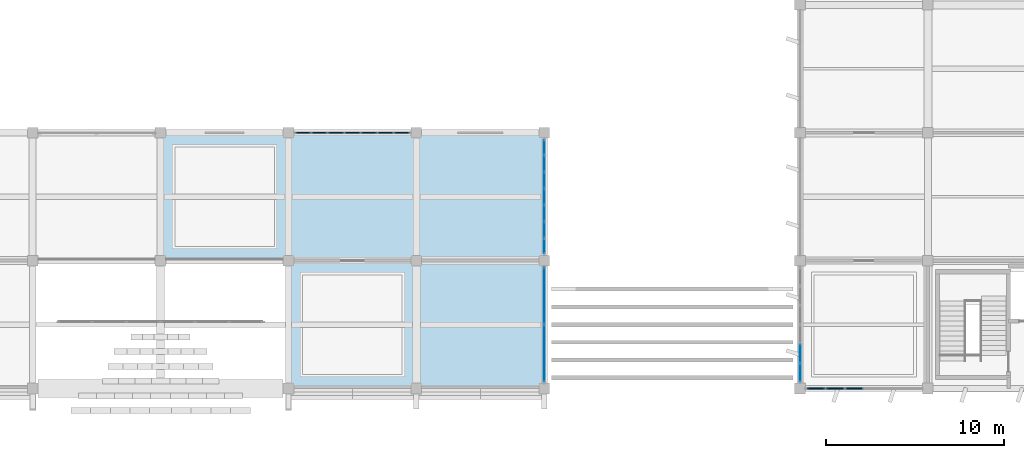
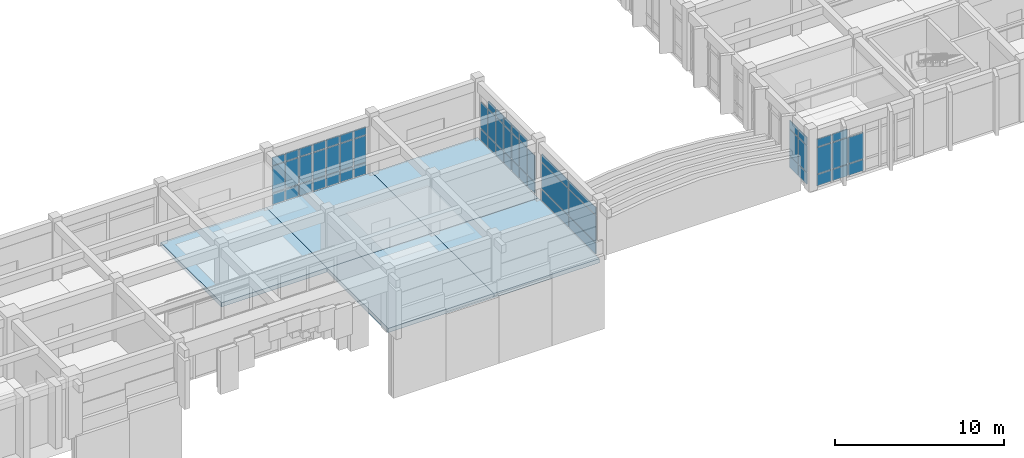
# One storey, part 41 of 81: 60 plates, 5 slabs, 5 elements without a shape of their own.
"""IFC4 building model written with IfcOpenShell, lengths in metres."""

from ifc_helpers import new_model, si_unit, direction, frame, origin, origin_2d, place, context, subcontext, project, spatial, polyline, rectangle, outline, extrude, material, layer, layer_set, type_object, element, aggregate, save


model = new_model("IFC4")

# Units and contexts
model_context = context("Model", 3, precision=1e-05, world=origin(), true_north=direction((0.0, 1.0)))
body_context = subcontext(model_context, "Body", "Model", "MODEL_VIEW")
ifc_project = project(units=[si_unit("LENGTHUNIT", "METRE"), si_unit("AREAUNIT", "SQUARE_METRE"), si_unit("VOLUMEUNIT", "CUBIC_METRE"), si_unit("PLANEANGLEUNIT", "RADIAN"), si_unit("MASSUNIT", "GRAM", prefix="KILO")], contexts=[model_context])

# Site, building, storey
site_placement = place(None, origin())
site = spatial("IfcSite", under=ifc_project, at=site_placement, CompositionType="ELEMENT")
building_placement = place(site_placement, origin())
building = spatial("IfcBuilding", under=site, at=building_placement, Name="Kavelor Marine Aquarium", CompositionType="ELEMENT")
storey_placement = place(building_placement, frame((0.0, 0.0, 4.679931640625)))
storey = spatial("IfcBuildingStorey", under=building, at=storey_placement, Name="L01", CompositionType="ELEMENT", Elevation=4.679931640625)

# Curtain wall, plates
ifc_material_1 = material(Name="Thermally Broken Aluminium and Low-E Glass", Category="aluminium")
ifc_layer_1 = layer(ifc_material_1, 0.33203125)
ifc_layer_set_1 = layer_set([ifc_layer_1], Name="CW-SYS24")
curtain_wall_type_1 = type_object("IfcCurtainWallType", Name="CW-SYS24", PredefinedType="USERDEFINED", material=ifc_layer_set_1)
curtain_wall_1_placement = place(storey_placement, origin())
curtain_wall_1 = element("IfcCurtainWall", 1, at=curtain_wall_1_placement, inside=storey, type_object=curtain_wall_type_1, Name="cw:y:L01:14_00", ObjectType="Curtain Wall", PredefinedType="USERDEFINED")
ifc_material_2 = material(Name="Solar-Control Double Low-E Glazing", Category="glass")
ifc_layer_2 = layer(ifc_material_2, 0.048095703125)
ifc_layer_set_2 = layer_set([ifc_layer_2], Name="CWP-12")
plate_type_1 = type_object("IfcPlateType", Name="CWP-12", PredefinedType="CURTAIN_PANEL", material=ifc_layer_set_2)
plate_1_placement = place(storey_placement, frame((104.0, 4.78759765625, 0.074951171875), z_axis=(0.0, 0.0, 1.0), x_axis=(0.0, 1.0, 0.0)))
plate_1 = element("IfcPlate", 2, at=plate_1_placement, type_object=plate_type_1, Name="CW24 panel 1.1", PredefinedType="CURTAIN_PANEL", context=body_context, shape_type="SweptSolid", body=[
    extrude(rectangle(XDim=3.1650390625, YDim=0.048095703125, at=origin_2d()), origin(), (0.0, 0.0, 1.0), 0.78759765625),
])
plate_2_placement = place(storey_placement, frame((104.0, 4.78759765625, 0.9375), z_axis=(0.0, 0.0, 1.0), x_axis=(0.0, 1.0, 0.0)))
plate_2 = element("IfcPlate", 3, at=plate_2_placement, type_object=plate_type_1, Name="CW24 panel 1.2", PredefinedType="CURTAIN_PANEL", context=body_context, shape_type="SweptSolid", body=[
    extrude(rectangle(XDim=3.1650390625, YDim=0.048095703125, at=origin_2d()), origin(), (0.0, 0.0, 1.0), 1.885009765625),
])
plate_3_placement = place(storey_placement, frame((104.0, 4.78759765625, 2.8974609375), z_axis=(0.0, 0.0, 1.0), x_axis=(0.0, 1.0, 0.0)))
plate_3 = element("IfcPlate", 4, at=plate_3_placement, type_object=plate_type_1, Name="CW24 panel 1.3", PredefinedType="CURTAIN_PANEL", context=body_context, shape_type="SweptSolid", body=[
    extrude(rectangle(XDim=3.1650390625, YDim=0.048095703125, at=origin_2d()), origin(), (0.0, 0.0, 1.0), 0.53759765625),
])
plate_4_placement = place(storey_placement, frame((104.0, 8.012451171875, 0.074951171875), z_axis=(0.0, 0.0, 1.0), x_axis=(0.0, 1.0, 0.0)))
plate_4 = element("IfcPlate", 5, at=plate_4_placement, type_object=plate_type_1, Name="CW24 panel 2.1", PredefinedType="CURTAIN_PANEL", context=body_context, shape_type="SweptSolid", body=[
    extrude(rectangle(XDim=3.1650390625, YDim=0.048095703125, at=origin_2d()), origin(), (0.0, 0.0, 1.0), 0.78759765625),
])
plate_5_placement = place(storey_placement, frame((104.0, 8.012451171875, 0.9375), z_axis=(0.0, 0.0, 1.0), x_axis=(0.0, 1.0, 0.0)))
plate_5 = element("IfcPlate", 6, at=plate_5_placement, type_object=plate_type_1, Name="CW24 panel 2.2", PredefinedType="CURTAIN_PANEL", context=body_context, shape_type="SweptSolid", body=[
    extrude(rectangle(XDim=3.1650390625, YDim=0.048095703125, at=origin_2d()), origin(), (0.0, 0.0, 1.0), 1.885009765625),
])
plate_6_placement = place(storey_placement, frame((104.0, 8.012451171875, 2.8974609375), z_axis=(0.0, 0.0, 1.0), x_axis=(0.0, 1.0, 0.0)))
plate_6 = element("IfcPlate", 7, at=plate_6_placement, type_object=plate_type_1, Name="CW24 panel 2.3", PredefinedType="CURTAIN_PANEL", context=body_context, shape_type="SweptSolid", body=[
    extrude(rectangle(XDim=3.1650390625, YDim=0.048095703125, at=origin_2d()), origin(), (0.0, 0.0, 1.0), 0.53759765625),
])
aggregate(curtain_wall_1, [plate_1, plate_2, plate_3, plate_4, plate_5, plate_6])

ifc_material_3 = material(Name="Thermally Broken Aluminium and Low-E Glass", Category="aluminium")
ifc_layer_3 = layer(ifc_material_3, 0.14794921875)
ifc_layer_set_3 = layer_set([ifc_layer_3], Name="CW-SYS1")
curtain_wall_type_2 = type_object("IfcCurtainWallType", Name="CW-SYS1", PredefinedType="USERDEFINED", material=ifc_layer_set_3)
curtain_wall_2_placement = place(storey_placement, origin())
curtain_wall_2 = element("IfcCurtainWall", 8, at=curtain_wall_2_placement, inside=storey, type_object=curtain_wall_type_2, Name="cw:y:L01:14_01", ObjectType="Curtain Wall", PredefinedType="USERDEFINED")
ifc_material_4 = material(Name="Solar-Control Double Low-E Glazing", Category="glass")
ifc_layer_4 = layer(ifc_material_4, 0.050048828125)
ifc_layer_set_4 = layer_set([ifc_layer_4], Name="CWP-13")
plate_type_2 = type_object("IfcPlateType", Name="CWP-13", PredefinedType="CURTAIN_PANEL", material=ifc_layer_set_4)
plate_7_placement = place(storey_placement, frame((104.0, 10.828857421875, 0.074951171875), z_axis=(0.0, 0.0, 1.0), x_axis=(0.0, 1.0, 0.0)))
plate_7 = element("IfcPlate", 9, at=plate_7_placement, type_object=plate_type_2, Name="CW01 panel 1.1", PredefinedType="CURTAIN_PANEL", context=body_context, shape_type="SweptSolid", body=[
    extrude(rectangle(XDim=0.8173828125, YDim=0.050048828125, at=origin_2d()), origin(), (0.0, 0.0, 1.0), 0.78759765625),
])
plate_8_placement = place(storey_placement, frame((104.0, 10.828857421875, 0.9375), z_axis=(0.0, 0.0, 1.0), x_axis=(0.0, 1.0, 0.0)))
plate_8 = element("IfcPlate", 10, at=plate_8_placement, type_object=plate_type_2, Name="CW01 panel 1.2", PredefinedType="CURTAIN_PANEL", context=body_context, shape_type="SweptSolid", body=[
    extrude(rectangle(XDim=0.8173828125, YDim=0.050048828125, at=origin_2d()), origin(), (0.0, 0.0, 1.0), 1.864990234375),
])
plate_9_placement = place(storey_placement, frame((104.0, 11.739990234375, 0.074951171875), z_axis=(0.0, 0.0, 1.0), x_axis=(0.0, 1.0, 0.0)))
plate_9 = element("IfcPlate", 11, at=plate_9_placement, type_object=plate_type_2, Name="CW01 panel 2.1", PredefinedType="CURTAIN_PANEL", context=body_context, shape_type="SweptSolid", body=[
    extrude(rectangle(XDim=0.85498046875, YDim=0.050048828125, at=origin_2d()), origin(), (0.0, 0.0, 1.0), 0.78759765625),
])
plate_10_placement = place(storey_placement, frame((104.0, 11.739990234375, 0.9375), z_axis=(0.0, 0.0, 1.0), x_axis=(0.0, 1.0, 0.0)))
plate_10 = element("IfcPlate", 12, at=plate_10_placement, type_object=plate_type_2, Name="CW01 panel 2.2", PredefinedType="CURTAIN_PANEL", context=body_context, shape_type="SweptSolid", body=[
    extrude(rectangle(XDim=0.85498046875, YDim=0.050048828125, at=origin_2d()), origin(), (0.0, 0.0, 1.0), 1.864990234375),
])
plate_11_placement = place(storey_placement, frame((104.0, 11.739990234375, 2.87744140625), z_axis=(0.0, 0.0, 1.0), x_axis=(0.0, 1.0, 0.0)))
plate_11 = element("IfcPlate", 13, at=plate_11_placement, type_object=plate_type_2, Name="CW01 panel 2.3", PredefinedType="CURTAIN_PANEL", context=body_context, shape_type="SweptSolid", body=[
    extrude(rectangle(XDim=0.85498046875, YDim=0.050048828125, at=origin_2d()), origin(), (0.0, 0.0, 1.0), 0.53759765625),
])
plate_12_placement = place(storey_placement, frame((104.0, 12.669921875, 0.074951171875), z_axis=(0.0, 0.0, 1.0), x_axis=(0.0, 1.0, 0.0)))
plate_12 = element("IfcPlate", 14, at=plate_12_placement, type_object=plate_type_2, Name="CW01 panel 3.1", PredefinedType="CURTAIN_PANEL", context=body_context, shape_type="SweptSolid", body=[
    extrude(rectangle(XDim=0.85498046875, YDim=0.050048828125, at=origin_2d()), origin(), (0.0, 0.0, 1.0), 0.78759765625),
])
plate_13_placement = place(storey_placement, frame((104.0, 12.669921875, 0.9375), z_axis=(0.0, 0.0, 1.0), x_axis=(0.0, 1.0, 0.0)))
plate_13 = element("IfcPlate", 15, at=plate_13_placement, type_object=plate_type_2, Name="CW01 panel 3.2", PredefinedType="CURTAIN_PANEL", context=body_context, shape_type="SweptSolid", body=[
    extrude(rectangle(XDim=0.85498046875, YDim=0.050048828125, at=origin_2d()), origin(), (0.0, 0.0, 1.0), 1.864990234375),
])
plate_14_placement = place(storey_placement, frame((104.0, 12.669921875, 2.87744140625), z_axis=(0.0, 0.0, 1.0), x_axis=(0.0, 1.0, 0.0)))
plate_14 = element("IfcPlate", 16, at=plate_14_placement, type_object=plate_type_2, Name="CW01 panel 3.3", PredefinedType="CURTAIN_PANEL", context=body_context, shape_type="SweptSolid", body=[
    extrude(rectangle(XDim=0.85498046875, YDim=0.050048828125, at=origin_2d()), origin(), (0.0, 0.0, 1.0), 0.53759765625),
])
plate_15_placement = place(storey_placement, frame((104.0, 13.60009765625, 0.074951171875), z_axis=(0.0, 0.0, 1.0), x_axis=(0.0, 1.0, 0.0)))
plate_15 = element("IfcPlate", 17, at=plate_15_placement, type_object=plate_type_2, Name="CW01 panel 4.1", PredefinedType="CURTAIN_PANEL", context=body_context, shape_type="SweptSolid", body=[
    extrude(rectangle(XDim=0.85498046875, YDim=0.050048828125, at=origin_2d()), origin(), (0.0, 0.0, 1.0), 0.78759765625),
])
plate_16_placement = place(storey_placement, frame((104.0, 13.60009765625, 0.9375), z_axis=(0.0, 0.0, 1.0), x_axis=(0.0, 1.0, 0.0)))
plate_16 = element("IfcPlate", 18, at=plate_16_placement, type_object=plate_type_2, Name="CW01 panel 4.2", PredefinedType="CURTAIN_PANEL", context=body_context, shape_type="SweptSolid", body=[
    extrude(rectangle(XDim=0.85498046875, YDim=0.050048828125, at=origin_2d()), origin(), (0.0, 0.0, 1.0), 1.864990234375),
])
plate_17_placement = place(storey_placement, frame((104.0, 13.60009765625, 2.87744140625), z_axis=(0.0, 0.0, 1.0), x_axis=(0.0, 1.0, 0.0)))
plate_17 = element("IfcPlate", 19, at=plate_17_placement, type_object=plate_type_2, Name="CW01 panel 4.3", PredefinedType="CURTAIN_PANEL", context=body_context, shape_type="SweptSolid", body=[
    extrude(rectangle(XDim=0.85498046875, YDim=0.050048828125, at=origin_2d()), origin(), (0.0, 0.0, 1.0), 0.53759765625),
])
plate_18_placement = place(storey_placement, frame((104.0, 14.530029296875, 0.074951171875), z_axis=(0.0, 0.0, 1.0), x_axis=(0.0, 1.0, 0.0)))
plate_18 = element("IfcPlate", 20, at=plate_18_placement, type_object=plate_type_2, Name="CW01 panel 5.1", PredefinedType="CURTAIN_PANEL", context=body_context, shape_type="SweptSolid", body=[
    extrude(rectangle(XDim=0.85498046875, YDim=0.050048828125, at=origin_2d()), origin(), (0.0, 0.0, 1.0), 0.78759765625),
])
plate_19_placement = place(storey_placement, frame((104.0, 14.530029296875, 0.9375), z_axis=(0.0, 0.0, 1.0), x_axis=(0.0, 1.0, 0.0)))
plate_19 = element("IfcPlate", 21, at=plate_19_placement, type_object=plate_type_2, Name="CW01 panel 5.2", PredefinedType="CURTAIN_PANEL", context=body_context, shape_type="SweptSolid", body=[
    extrude(rectangle(XDim=0.85498046875, YDim=0.050048828125, at=origin_2d()), origin(), (0.0, 0.0, 1.0), 1.864990234375),
])
plate_20_placement = place(storey_placement, frame((104.0, 14.530029296875, 2.87744140625), z_axis=(0.0, 0.0, 1.0), x_axis=(0.0, 1.0, 0.0)))
plate_20 = element("IfcPlate", 22, at=plate_20_placement, type_object=plate_type_2, Name="CW01 panel 5.3", PredefinedType="CURTAIN_PANEL", context=body_context, shape_type="SweptSolid", body=[
    extrude(rectangle(XDim=0.85498046875, YDim=0.050048828125, at=origin_2d()), origin(), (0.0, 0.0, 1.0), 0.53759765625),
])
plate_21_placement = place(storey_placement, frame((104.0, 15.4599609375, 0.074951171875), z_axis=(0.0, 0.0, 1.0), x_axis=(0.0, 1.0, 0.0)))
plate_21 = element("IfcPlate", 23, at=plate_21_placement, type_object=plate_type_2, Name="CW01 panel 6.1", PredefinedType="CURTAIN_PANEL", context=body_context, shape_type="SweptSolid", body=[
    extrude(rectangle(XDim=0.85498046875, YDim=0.050048828125, at=origin_2d()), origin(), (0.0, 0.0, 1.0), 0.78759765625),
])
plate_22_placement = place(storey_placement, frame((104.0, 15.4599609375, 0.9375), z_axis=(0.0, 0.0, 1.0), x_axis=(0.0, 1.0, 0.0)))
plate_22 = element("IfcPlate", 24, at=plate_22_placement, type_object=plate_type_2, Name="CW01 panel 6.2", PredefinedType="CURTAIN_PANEL", context=body_context, shape_type="SweptSolid", body=[
    extrude(rectangle(XDim=0.85498046875, YDim=0.050048828125, at=origin_2d()), origin(), (0.0, 0.0, 1.0), 1.864990234375),
])
plate_23_placement = place(storey_placement, frame((104.0, 15.4599609375, 2.87744140625), z_axis=(0.0, 0.0, 1.0), x_axis=(0.0, 1.0, 0.0)))
plate_23 = element("IfcPlate", 25, at=plate_23_placement, type_object=plate_type_2, Name="CW01 panel 6.3", PredefinedType="CURTAIN_PANEL", context=body_context, shape_type="SweptSolid", body=[
    extrude(rectangle(XDim=0.85498046875, YDim=0.050048828125, at=origin_2d()), origin(), (0.0, 0.0, 1.0), 0.53759765625),
])
plate_24_placement = place(storey_placement, frame((104.0, 16.371337890625, 0.074951171875), z_axis=(0.0, 0.0, 1.0), x_axis=(0.0, 1.0, 0.0)))
plate_24 = element("IfcPlate", 26, at=plate_24_placement, type_object=plate_type_2, Name="CW01 panel 7.1", PredefinedType="CURTAIN_PANEL", context=body_context, shape_type="SweptSolid", body=[
    extrude(rectangle(XDim=0.8173828125, YDim=0.050048828125, at=origin_2d()), origin(), (0.0, 0.0, 1.0), 0.78759765625),
])
plate_25_placement = place(storey_placement, frame((104.0, 16.371337890625, 0.9375), z_axis=(0.0, 0.0, 1.0), x_axis=(0.0, 1.0, 0.0)))
plate_25 = element("IfcPlate", 27, at=plate_25_placement, type_object=plate_type_2, Name="CW01 panel 7.2", PredefinedType="CURTAIN_PANEL", context=body_context, shape_type="SweptSolid", body=[
    extrude(rectangle(XDim=0.8173828125, YDim=0.050048828125, at=origin_2d()), origin(), (0.0, 0.0, 1.0), 1.864990234375),
])
aggregate(curtain_wall_2, [plate_7, plate_8, plate_9, plate_10, plate_11, plate_12, plate_13, plate_14, plate_15, plate_16, plate_17, plate_18, plate_19, plate_20, plate_21, plate_22, plate_23, plate_24, plate_25])

ifc_material_5 = material(Name="Thermally Broken Aluminium and Low-E Glass", Category="aluminium")
ifc_layer_5 = layer(ifc_material_5, 0.172119140625)
ifc_layer_set_5 = layer_set([ifc_layer_5], Name="CW-SYS4")
curtain_wall_type_3 = type_object("IfcCurtainWallType", Name="CW-SYS4", PredefinedType="USERDEFINED", material=ifc_layer_set_5)
curtain_wall_3_placement = place(storey_placement, origin())
curtain_wall_3 = element("IfcCurtainWall", 28, at=curtain_wall_3_placement, inside=storey, type_object=curtain_wall_type_3, Name="cw:y:L01:16_00", ObjectType="Curtain Wall", PredefinedType="USERDEFINED")
ifc_material_6 = material(Name="Solar-Control Double Low-E Glazing", Category="glass")
ifc_layer_6 = layer(ifc_material_6, 0.055908203125)
ifc_layer_set_6 = layer_set([ifc_layer_6], Name="CWP-16")
plate_type_3 = type_object("IfcPlateType", Name="CWP-16", PredefinedType="CURTAIN_PANEL", material=ifc_layer_set_6)
plate_26_placement = place(storey_placement, frame((118.39990234375, 4.7724609375, 0.06005859375), z_axis=(0.0, 0.0, 1.0), x_axis=(0.0, -1.0, 0.0)))
plate_26 = element("IfcPlate", 29, at=plate_26_placement, type_object=plate_type_3, Name="CW04 panel 5.1", PredefinedType="CURTAIN_PANEL", context=body_context, shape_type="SweptSolid", body=[
    extrude(rectangle(XDim=1.010009765625, YDim=0.055908203125, at=origin_2d()), origin(), (0.0, 0.0, 1.0), 0.81005859375),
])
plate_27_placement = place(storey_placement, frame((118.39990234375, 4.7724609375, 0.93017578125), z_axis=(0.0, 0.0, 1.0), x_axis=(0.0, -1.0, 0.0)))
plate_27 = element("IfcPlate", 30, at=plate_27_placement, type_object=plate_type_3, Name="CW04 panel 5.2", PredefinedType="CURTAIN_PANEL", context=body_context, shape_type="SweptSolid", body=[
    extrude(rectangle(XDim=1.010009765625, YDim=0.055908203125, at=origin_2d()), origin(), (0.0, 0.0, 1.0), 1.8798828125),
])
plate_28_placement = place(storey_placement, frame((118.39990234375, 4.7724609375, 2.8701171875), z_axis=(0.0, 0.0, 1.0), x_axis=(0.0, -1.0, 0.0)))
plate_28 = element("IfcPlate", 31, at=plate_28_placement, type_object=plate_type_3, Name="CW04 panel 5.3", PredefinedType="CURTAIN_PANEL", context=body_context, shape_type="SweptSolid", body=[
    extrude(rectangle(XDim=1.010009765625, YDim=0.055908203125, at=origin_2d()), origin(), (0.0, 0.0, 1.0), 0.56005859375),
])
plate_29_placement = place(storey_placement, frame((118.39990234375, 3.706298828125, 0.06005859375), z_axis=(0.0, 0.0, 1.0), x_axis=(0.0, -1.0, 0.0)))
plate_29 = element("IfcPlate", 32, at=plate_29_placement, type_object=plate_type_3, Name="CW04 panel 6.1", PredefinedType="CURTAIN_PANEL", context=body_context, shape_type="SweptSolid", body=[
    extrude(rectangle(XDim=0.972412109375, YDim=0.055908203125, at=origin_2d()), origin(), (0.0, 0.0, 1.0), 0.81005859375),
])
plate_30_placement = place(storey_placement, frame((118.39990234375, 3.706298828125, 0.93017578125), z_axis=(0.0, 0.0, 1.0), x_axis=(0.0, -1.0, 0.0)))
plate_30 = element("IfcPlate", 33, at=plate_30_placement, type_object=plate_type_3, Name="CW04 panel 6.2", PredefinedType="CURTAIN_PANEL", context=body_context, shape_type="SweptSolid", body=[
    extrude(rectangle(XDim=0.972412109375, YDim=0.055908203125, at=origin_2d()), origin(), (0.0, 0.0, 1.0), 1.8798828125),
])
plate_31_placement = place(storey_placement, frame((118.39990234375, 3.706298828125, 2.8701171875), z_axis=(0.0, 0.0, 1.0), x_axis=(0.0, -1.0, 0.0)))
plate_31 = element("IfcPlate", 34, at=plate_31_placement, type_object=plate_type_3, Name="CW04 panel 6.3", PredefinedType="CURTAIN_PANEL", context=body_context, shape_type="SweptSolid", body=[
    extrude(rectangle(XDim=0.972412109375, YDim=0.055908203125, at=origin_2d()), origin(), (0.0, 0.0, 1.0), 0.56005859375),
])
aggregate(curtain_wall_3, [plate_26, plate_27, plate_28, plate_29, plate_30, plate_31])

ifc_material_7 = material(Name="Thermally Broken Aluminium and Low-E Glass", Category="aluminium")
ifc_layer_7 = layer(ifc_material_7, 0.156005859375)
ifc_layer_set_7 = layer_set([ifc_layer_7], Name="CW-SYS2")
curtain_wall_type_4 = type_object("IfcCurtainWallType", Name="CW-SYS2", PredefinedType="USERDEFINED", material=ifc_layer_set_7)
curtain_wall_4_placement = place(storey_placement, origin())
curtain_wall_4 = element("IfcCurtainWall", 35, at=curtain_wall_4_placement, inside=storey, type_object=curtain_wall_type_4, Name="cw:x:L01:12_02", ObjectType="Curtain Wall", PredefinedType="USERDEFINED")
ifc_material_8 = material(Name="Solar-Control Double Low-E Glazing", Category="glass")
ifc_layer_8 = layer(ifc_material_8, 0.075927734375)
ifc_layer_set_8 = layer_set([ifc_layer_8], Name="CWP-26")
plate_type_4 = type_object("IfcPlateType", Name="CWP-26", PredefinedType="CURTAIN_PANEL", material=ifc_layer_set_8)
plate_32_placement = place(storey_placement, frame((90.42626953125, 17.199951171875, 0.06494140625), z_axis=(0.0, 0.0, 1.0), x_axis=(1.0, 0.0, 0.0)))
plate_32 = element("IfcPlate", 36, at=plate_32_placement, type_object=plate_type_4, Name="CW02 panel 1.1", PredefinedType="CURTAIN_PANEL", context=body_context, shape_type="SweptSolid", body=[
    extrude(rectangle(XDim=0.83251953125, YDim=0.075927734375, at=origin_2d()), origin(), (0.0, 0.0, 1.0), 0.802490234375),
])
plate_33_placement = place(storey_placement, frame((90.42626953125, 17.199951171875, 0.9326171875), z_axis=(0.0, 0.0, 1.0), x_axis=(1.0, 0.0, 0.0)))
plate_33 = element("IfcPlate", 37, at=plate_33_placement, type_object=plate_type_4, Name="CW02 panel 1.2", PredefinedType="CURTAIN_PANEL", context=body_context, shape_type="SweptSolid", body=[
    extrude(rectangle(XDim=0.83251953125, YDim=0.075927734375, at=origin_2d()), origin(), (0.0, 0.0, 1.0), 1.89501953125),
])
plate_34_placement = place(storey_placement, frame((90.42626953125, 17.199951171875, 2.892578125), z_axis=(0.0, 0.0, 1.0), x_axis=(1.0, 0.0, 0.0)))
plate_34 = element("IfcPlate", 38, at=plate_34_placement, type_object=plate_type_4, Name="CW02 panel 1.3", PredefinedType="CURTAIN_PANEL", context=body_context, shape_type="SweptSolid", body=[
    extrude(rectangle(XDim=0.83251953125, YDim=0.075927734375, at=origin_2d()), origin(), (0.0, 0.0, 1.0), 0.552490234375),
])
plate_35_placement = place(storey_placement, frame((91.340087890625, 17.199951171875, 0.06494140625), z_axis=(0.0, 0.0, 1.0), x_axis=(1.0, 0.0, 0.0)))
plate_35 = element("IfcPlate", 39, at=plate_35_placement, type_object=plate_type_4, Name="CW02 panel 2.1", PredefinedType="CURTAIN_PANEL", context=body_context, shape_type="SweptSolid", body=[
    extrude(rectangle(XDim=0.864990234375, YDim=0.075927734375, at=origin_2d()), origin(), (0.0, 0.0, 1.0), 0.802490234375),
])
plate_36_placement = place(storey_placement, frame((91.340087890625, 17.199951171875, 0.9326171875), z_axis=(0.0, 0.0, 1.0), x_axis=(1.0, 0.0, 0.0)))
plate_36 = element("IfcPlate", 40, at=plate_36_placement, type_object=plate_type_4, Name="CW02 panel 2.2", PredefinedType="CURTAIN_PANEL", context=body_context, shape_type="SweptSolid", body=[
    extrude(rectangle(XDim=0.864990234375, YDim=0.075927734375, at=origin_2d()), origin(), (0.0, 0.0, 1.0), 1.89501953125),
])
plate_37_placement = place(storey_placement, frame((91.340087890625, 17.199951171875, 2.892578125), z_axis=(0.0, 0.0, 1.0), x_axis=(1.0, 0.0, 0.0)))
plate_37 = element("IfcPlate", 41, at=plate_37_placement, type_object=plate_type_4, Name="CW02 panel 2.3", PredefinedType="CURTAIN_PANEL", context=body_context, shape_type="SweptSolid", body=[
    extrude(rectangle(XDim=0.864990234375, YDim=0.075927734375, at=origin_2d()), origin(), (0.0, 0.0, 1.0), 0.552490234375),
])
plate_38_placement = place(storey_placement, frame((92.27001953125, 17.199951171875, 0.06494140625), z_axis=(0.0, 0.0, 1.0), x_axis=(1.0, 0.0, 0.0)))
plate_38 = element("IfcPlate", 42, at=plate_38_placement, type_object=plate_type_4, Name="CW02 panel 3.1", PredefinedType="CURTAIN_PANEL", context=body_context, shape_type="SweptSolid", body=[
    extrude(rectangle(XDim=0.864990234375, YDim=0.075927734375, at=origin_2d()), origin(), (0.0, 0.0, 1.0), 0.802490234375),
])
plate_39_placement = place(storey_placement, frame((92.27001953125, 17.199951171875, 0.9326171875), z_axis=(0.0, 0.0, 1.0), x_axis=(1.0, 0.0, 0.0)))
plate_39 = element("IfcPlate", 43, at=plate_39_placement, type_object=plate_type_4, Name="CW02 panel 3.2", PredefinedType="CURTAIN_PANEL", context=body_context, shape_type="SweptSolid", body=[
    extrude(rectangle(XDim=0.864990234375, YDim=0.075927734375, at=origin_2d()), origin(), (0.0, 0.0, 1.0), 1.89501953125),
])
plate_40_placement = place(storey_placement, frame((92.27001953125, 17.199951171875, 2.892578125), z_axis=(0.0, 0.0, 1.0), x_axis=(1.0, 0.0, 0.0)))
plate_40 = element("IfcPlate", 44, at=plate_40_placement, type_object=plate_type_4, Name="CW02 panel 3.3", PredefinedType="CURTAIN_PANEL", context=body_context, shape_type="SweptSolid", body=[
    extrude(rectangle(XDim=0.864990234375, YDim=0.075927734375, at=origin_2d()), origin(), (0.0, 0.0, 1.0), 0.552490234375),
])
plate_41_placement = place(storey_placement, frame((93.199951171875, 17.199951171875, 0.06494140625), z_axis=(0.0, 0.0, 1.0), x_axis=(1.0, 0.0, 0.0)))
plate_41 = element("IfcPlate", 45, at=plate_41_placement, type_object=plate_type_4, Name="CW02 panel 4.1", PredefinedType="CURTAIN_PANEL", context=body_context, shape_type="SweptSolid", body=[
    extrude(rectangle(XDim=0.864990234375, YDim=0.075927734375, at=origin_2d()), origin(), (0.0, 0.0, 1.0), 0.802490234375),
])
plate_42_placement = place(storey_placement, frame((93.199951171875, 17.199951171875, 0.9326171875), z_axis=(0.0, 0.0, 1.0), x_axis=(1.0, 0.0, 0.0)))
plate_42 = element("IfcPlate", 46, at=plate_42_placement, type_object=plate_type_4, Name="CW02 panel 4.2", PredefinedType="CURTAIN_PANEL", context=body_context, shape_type="SweptSolid", body=[
    extrude(rectangle(XDim=0.864990234375, YDim=0.075927734375, at=origin_2d()), origin(), (0.0, 0.0, 1.0), 1.89501953125),
])
plate_43_placement = place(storey_placement, frame((93.199951171875, 17.199951171875, 2.892578125), z_axis=(0.0, 0.0, 1.0), x_axis=(1.0, 0.0, 0.0)))
plate_43 = element("IfcPlate", 47, at=plate_43_placement, type_object=plate_type_4, Name="CW02 panel 4.3", PredefinedType="CURTAIN_PANEL", context=body_context, shape_type="SweptSolid", body=[
    extrude(rectangle(XDim=0.864990234375, YDim=0.075927734375, at=origin_2d()), origin(), (0.0, 0.0, 1.0), 0.552490234375),
])
plate_44_placement = place(storey_placement, frame((94.1298828125, 17.199951171875, 0.06494140625), z_axis=(0.0, 0.0, 1.0), x_axis=(1.0, 0.0, 0.0)))
plate_44 = element("IfcPlate", 48, at=plate_44_placement, type_object=plate_type_4, Name="CW02 panel 5.1", PredefinedType="CURTAIN_PANEL", context=body_context, shape_type="SweptSolid", body=[
    extrude(rectangle(XDim=0.864990234375, YDim=0.075927734375, at=origin_2d()), origin(), (0.0, 0.0, 1.0), 0.802490234375),
])
plate_45_placement = place(storey_placement, frame((94.1298828125, 17.199951171875, 0.9326171875), z_axis=(0.0, 0.0, 1.0), x_axis=(1.0, 0.0, 0.0)))
plate_45 = element("IfcPlate", 49, at=plate_45_placement, type_object=plate_type_4, Name="CW02 panel 5.2", PredefinedType="CURTAIN_PANEL", context=body_context, shape_type="SweptSolid", body=[
    extrude(rectangle(XDim=0.864990234375, YDim=0.075927734375, at=origin_2d()), origin(), (0.0, 0.0, 1.0), 1.89501953125),
])
plate_46_placement = place(storey_placement, frame((94.1298828125, 17.199951171875, 2.892578125), z_axis=(0.0, 0.0, 1.0), x_axis=(1.0, 0.0, 0.0)))
plate_46 = element("IfcPlate", 50, at=plate_46_placement, type_object=plate_type_4, Name="CW02 panel 5.3", PredefinedType="CURTAIN_PANEL", context=body_context, shape_type="SweptSolid", body=[
    extrude(rectangle(XDim=0.864990234375, YDim=0.075927734375, at=origin_2d()), origin(), (0.0, 0.0, 1.0), 0.552490234375),
])
plate_47_placement = place(storey_placement, frame((95.06005859375, 17.199951171875, 0.06494140625), z_axis=(0.0, 0.0, 1.0), x_axis=(1.0, 0.0, 0.0)))
plate_47 = element("IfcPlate", 51, at=plate_47_placement, type_object=plate_type_4, Name="CW02 panel 6.1", PredefinedType="CURTAIN_PANEL", context=body_context, shape_type="SweptSolid", body=[
    extrude(rectangle(XDim=0.864990234375, YDim=0.075927734375, at=origin_2d()), origin(), (0.0, 0.0, 1.0), 0.802490234375),
])
plate_48_placement = place(storey_placement, frame((95.06005859375, 17.199951171875, 0.9326171875), z_axis=(0.0, 0.0, 1.0), x_axis=(1.0, 0.0, 0.0)))
plate_48 = element("IfcPlate", 52, at=plate_48_placement, type_object=plate_type_4, Name="CW02 panel 6.2", PredefinedType="CURTAIN_PANEL", context=body_context, shape_type="SweptSolid", body=[
    extrude(rectangle(XDim=0.864990234375, YDim=0.075927734375, at=origin_2d()), origin(), (0.0, 0.0, 1.0), 1.89501953125),
])
plate_49_placement = place(storey_placement, frame((95.06005859375, 17.199951171875, 2.892578125), z_axis=(0.0, 0.0, 1.0), x_axis=(1.0, 0.0, 0.0)))
plate_49 = element("IfcPlate", 53, at=plate_49_placement, type_object=plate_type_4, Name="CW02 panel 6.3", PredefinedType="CURTAIN_PANEL", context=body_context, shape_type="SweptSolid", body=[
    extrude(rectangle(XDim=0.864990234375, YDim=0.075927734375, at=origin_2d()), origin(), (0.0, 0.0, 1.0), 0.552490234375),
])
plate_50_placement = place(storey_placement, frame((95.9736328125, 17.199951171875, 0.06494140625), z_axis=(0.0, 0.0, 1.0), x_axis=(1.0, 0.0, 0.0)))
plate_50 = element("IfcPlate", 54, at=plate_50_placement, type_object=plate_type_4, Name="CW02 panel 7.1", PredefinedType="CURTAIN_PANEL", context=body_context, shape_type="SweptSolid", body=[
    extrude(rectangle(XDim=0.83251953125, YDim=0.075927734375, at=origin_2d()), origin(), (0.0, 0.0, 1.0), 0.802490234375),
])
plate_51_placement = place(storey_placement, frame((95.9736328125, 17.199951171875, 0.9326171875), z_axis=(0.0, 0.0, 1.0), x_axis=(1.0, 0.0, 0.0)))
plate_51 = element("IfcPlate", 55, at=plate_51_placement, type_object=plate_type_4, Name="CW02 panel 7.2", PredefinedType="CURTAIN_PANEL", context=body_context, shape_type="SweptSolid", body=[
    extrude(rectangle(XDim=0.83251953125, YDim=0.075927734375, at=origin_2d()), origin(), (0.0, 0.0, 1.0), 1.89501953125),
])
plate_52_placement = place(storey_placement, frame((95.9736328125, 17.199951171875, 2.892578125), z_axis=(0.0, 0.0, 1.0), x_axis=(1.0, 0.0, 0.0)))
plate_52 = element("IfcPlate", 56, at=plate_52_placement, type_object=plate_type_4, Name="CW02 panel 7.3", PredefinedType="CURTAIN_PANEL", context=body_context, shape_type="SweptSolid", body=[
    extrude(rectangle(XDim=0.83251953125, YDim=0.075927734375, at=origin_2d()), origin(), (0.0, 0.0, 1.0), 0.552490234375),
])
aggregate(curtain_wall_4, [plate_32, plate_33, plate_34, plate_35, plate_36, plate_37, plate_38, plate_39, plate_40, plate_41, plate_42, plate_43, plate_44, plate_45, plate_46, plate_47, plate_48, plate_49, plate_50, plate_51, plate_52])

ifc_material_9 = material(Name="Thermally Broken Aluminium and Low-E Glass", Category="aluminium")
ifc_layer_9 = layer(ifc_material_9, 0.1640625)
ifc_layer_set_9 = layer_set([ifc_layer_9], Name="CW-SYS3")
curtain_wall_type_5 = type_object("IfcCurtainWallType", Name="CW-SYS3", PredefinedType="USERDEFINED", material=ifc_layer_set_9)
curtain_wall_5_placement = place(storey_placement, origin())
curtain_wall_5 = element("IfcCurtainWall", 57, at=curtain_wall_5_placement, inside=storey, type_object=curtain_wall_type_5, Name="cw:x:L01:16_00", ObjectType="Curtain Wall", PredefinedType="USERDEFINED")
ifc_material_10 = material(Name="Solar-Control Double Low-E Glazing", Category="glass")
ifc_layer_10 = layer(ifc_material_10, 0.077880859375)
ifc_layer_set_10 = layer_set([ifc_layer_10], Name="CWP-27")
plate_type_5 = type_object("IfcPlateType", Name="CWP-27", PredefinedType="CURTAIN_PANEL", material=ifc_layer_set_10)
plate_53_placement = place(storey_placement, frame((121.45751953125, 2.800048828125, 0.06494140625), z_axis=(0.0, 0.0, 1.0), x_axis=(-1.0, 0.0, 0.0)))
plate_53 = element("IfcPlate", 58, at=plate_53_placement, type_object=plate_type_5, Name="CW03 panel 4.1", PredefinedType="CURTAIN_PANEL", context=body_context, shape_type="SweptSolid", body=[
    extrude(rectangle(XDim=1.02490234375, YDim=0.077880859375, at=origin_2d()), origin(), (0.0, 0.0, 1.0), 0.802490234375),
])
plate_54_placement = place(storey_placement, frame((121.45751953125, 2.800048828125, 0.9326171875), z_axis=(0.0, 0.0, 1.0), x_axis=(-1.0, 0.0, 0.0)))
plate_54 = element("IfcPlate", 59, at=plate_54_placement, type_object=plate_type_5, Name="CW03 panel 4.2", PredefinedType="CURTAIN_PANEL", context=body_context, shape_type="SweptSolid", body=[
    extrude(rectangle(XDim=1.02490234375, YDim=0.077880859375, at=origin_2d()), origin(), (0.0, 0.0, 1.0), 1.875),
])
plate_55_placement = place(storey_placement, frame((120.37255859375, 2.800048828125, 0.06494140625), z_axis=(0.0, 0.0, 1.0), x_axis=(-1.0, 0.0, 0.0)))
plate_55 = element("IfcPlate", 60, at=plate_55_placement, type_object=plate_type_5, Name="CW03 panel 5.1", PredefinedType="CURTAIN_PANEL", context=body_context, shape_type="SweptSolid", body=[
    extrude(rectangle(XDim=1.02490234375, YDim=0.077880859375, at=origin_2d()), origin(), (0.0, 0.0, 1.0), 0.802490234375),
])
plate_56_placement = place(storey_placement, frame((120.37255859375, 2.800048828125, 0.9326171875), z_axis=(0.0, 0.0, 1.0), x_axis=(-1.0, 0.0, 0.0)))
plate_56 = element("IfcPlate", 61, at=plate_56_placement, type_object=plate_type_5, Name="CW03 panel 5.2", PredefinedType="CURTAIN_PANEL", context=body_context, shape_type="SweptSolid", body=[
    extrude(rectangle(XDim=1.02490234375, YDim=0.077880859375, at=origin_2d()), origin(), (0.0, 0.0, 1.0), 1.875),
])
plate_57_placement = place(storey_placement, frame((120.37255859375, 2.800048828125, 2.87255859375), z_axis=(0.0, 0.0, 1.0), x_axis=(-1.0, 0.0, 0.0)))
plate_57 = element("IfcPlate", 62, at=plate_57_placement, type_object=plate_type_5, Name="CW03 panel 5.3", PredefinedType="CURTAIN_PANEL", context=body_context, shape_type="SweptSolid", body=[
    extrude(rectangle(XDim=1.02490234375, YDim=0.077880859375, at=origin_2d()), origin(), (0.0, 0.0, 1.0), 0.552490234375),
])
plate_58_placement = place(storey_placement, frame((119.302490234375, 2.800048828125, 0.06494140625), z_axis=(0.0, 0.0, 1.0), x_axis=(-1.0, 0.0, 0.0)))
plate_58 = element("IfcPlate", 63, at=plate_58_placement, type_object=plate_type_5, Name="CW03 panel 6.1", PredefinedType="CURTAIN_PANEL", context=body_context, shape_type="SweptSolid", body=[
    extrude(rectangle(XDim=0.9951171875, YDim=0.077880859375, at=origin_2d()), origin(), (0.0, 0.0, 1.0), 0.802490234375),
])
plate_59_placement = place(storey_placement, frame((119.302490234375, 2.800048828125, 0.9326171875), z_axis=(0.0, 0.0, 1.0), x_axis=(-1.0, 0.0, 0.0)))
plate_59 = element("IfcPlate", 64, at=plate_59_placement, type_object=plate_type_5, Name="CW03 panel 6.2", PredefinedType="CURTAIN_PANEL", context=body_context, shape_type="SweptSolid", body=[
    extrude(rectangle(XDim=0.9951171875, YDim=0.077880859375, at=origin_2d()), origin(), (0.0, 0.0, 1.0), 1.875),
])
plate_60_placement = place(storey_placement, frame((119.302490234375, 2.800048828125, 2.87255859375), z_axis=(0.0, 0.0, 1.0), x_axis=(-1.0, 0.0, 0.0)))
plate_60 = element("IfcPlate", 65, at=plate_60_placement, type_object=plate_type_5, Name="CW03 panel 6.3", PredefinedType="CURTAIN_PANEL", context=body_context, shape_type="SweptSolid", body=[
    extrude(rectangle(XDim=0.9951171875, YDim=0.077880859375, at=origin_2d()), origin(), (0.0, 0.0, 1.0), 0.552490234375),
])
aggregate(curtain_wall_5, [plate_53, plate_54, plate_55, plate_56, plate_57, plate_58, plate_59, plate_60])

# Slabs
ifc_material_11 = material(Name="Concrete C40/50", Category="concrete")
ifc_layer_11 = layer(ifc_material_11, 0.300048828125)
ifc_layer_set_11 = layer_set([ifc_layer_11], Name="SL-FL1")
slab_type = type_object("IfcSlabType", Name="SL-FL1", PredefinedType="FLOOR", material=ifc_layer_set_11)
slab_1_placement = place(storey_placement, frame((0.0, 0.0, -0.300048828125)))
element("IfcSlab", 66, at=slab_1_placement, inside=storey, type_object=slab_type, Name="slab:L01:11_01", PredefinedType="FLOOR", context=body_context, shape_type="SweptSolid", body=[
    extrude(outline(polyline([(82.39990234375, 10.0), (89.60009765625, 10.0), (89.60009765625, 17.199951171875), (82.39990234375, 17.199951171875), (82.39990234375, 10.0)])), origin(), (0.0, 0.0, 1.0), 0.300048828125),
])
slab_2_placement = place(storey_placement, frame((0.0, 0.0, -0.300048828125)))
element("IfcSlab", 67, at=slab_2_placement, inside=storey, type_object=slab_type, Name="slab:L01:12_00", PredefinedType="FLOOR", context=body_context, shape_type="SweptSolid", body=[
    extrude(outline(polyline([(89.60009765625, 2.800048828125), (96.800048828125, 2.800048828125), (96.800048828125, 10.0), (89.60009765625, 10.0), (89.60009765625, 2.800048828125)])), origin(), (0.0, 0.0, 1.0), 0.300048828125),
])
slab_3_placement = place(storey_placement, frame((0.0, 0.0, -0.300048828125)))
element("IfcSlab", 68, at=slab_3_placement, inside=storey, type_object=slab_type, Name="slab:L01:12_01", PredefinedType="FLOOR", context=body_context, shape_type="SweptSolid", body=[
    extrude(outline(polyline([(89.60009765625, 10.0), (96.800048828125, 10.0), (96.800048828125, 17.199951171875), (89.60009765625, 17.199951171875), (89.60009765625, 10.0)])), origin(), (0.0, 0.0, 1.0), 0.300048828125),
])
slab_4_placement = place(storey_placement, frame((0.0, 0.0, -0.300048828125)))
element("IfcSlab", 69, at=slab_4_placement, inside=storey, type_object=slab_type, Name="slab:L01:13_00", PredefinedType="FLOOR", context=body_context, shape_type="SweptSolid", body=[
    extrude(outline(polyline([(96.800048828125, 2.800048828125), (104.0, 2.800048828125), (104.0, 10.0), (96.800048828125, 10.0), (96.800048828125, 2.800048828125)])), origin(), (0.0, 0.0, 1.0), 0.300048828125),
])
slab_5_placement = place(storey_placement, frame((0.0, 0.0, -0.300048828125)))
element("IfcSlab", 70, at=slab_5_placement, inside=storey, type_object=slab_type, Name="slab:L01:13_01", PredefinedType="FLOOR", context=body_context, shape_type="SweptSolid", body=[
    extrude(outline(polyline([(96.800048828125, 10.0), (104.0, 10.0), (104.0, 17.199951171875), (96.800048828125, 17.199951171875), (96.800048828125, 10.0)])), origin(), (0.0, 0.0, 1.0), 0.300048828125),
])

save(model, "model.ifc")
